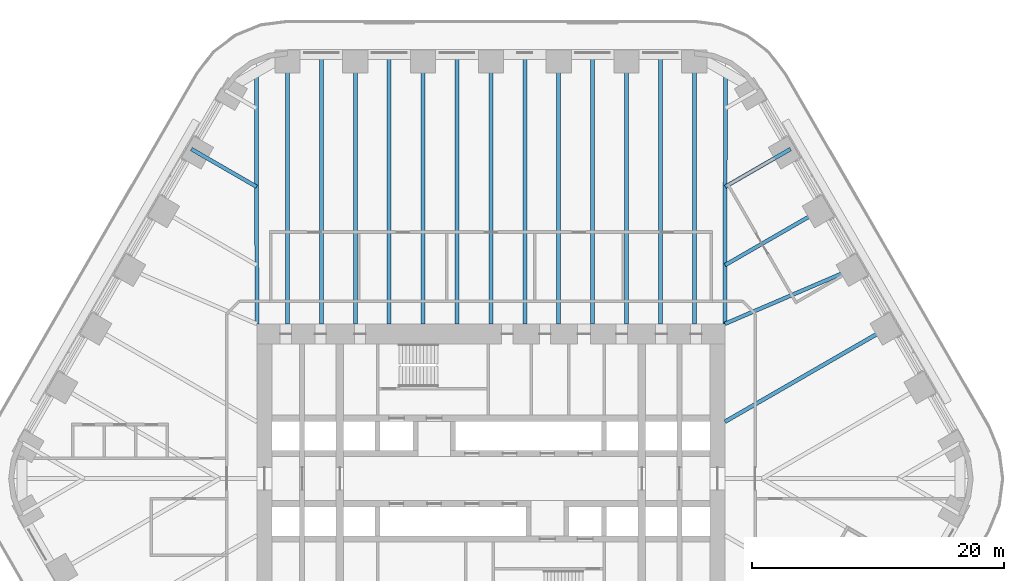
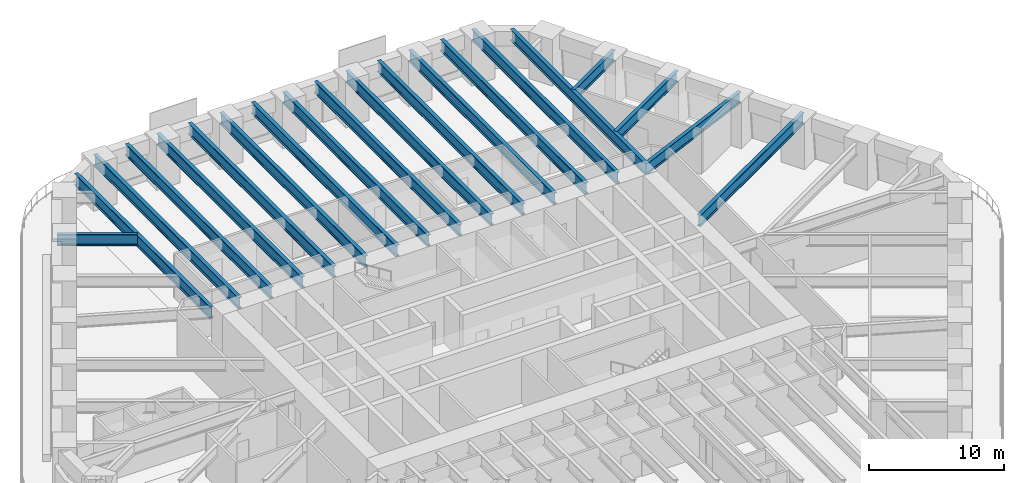
# One storey, part 10 of 23: 20 beams.
"""IFC4 building model written with IfcOpenShell, lengths in metres."""

from ifc_helpers import new_model, si_unit, direction, frame, origin, origin_2d, place, context, subcontext, project, spatial, i_section, extrude, material, material_profile, profile_set, type_object, element, save


model = new_model("IFC4")

# Units and contexts
model_context = context("Model", 3, precision=1e-05, world=origin(), true_north=direction((0.0, 1.0)))
body_context = subcontext(model_context, "Body", "Model", "MODEL_VIEW")
ifc_project = project(units=[si_unit("LENGTHUNIT", "METRE"), si_unit("AREAUNIT", "SQUARE_METRE"), si_unit("VOLUMEUNIT", "CUBIC_METRE"), si_unit("PLANEANGLEUNIT", "RADIAN"), si_unit("MASSUNIT", "GRAM", prefix="KILO")], contexts=[model_context])

# Site, building, storey
site_placement = place(None, origin())
site = spatial("IfcSite", under=ifc_project, at=site_placement, CompositionType="ELEMENT")
building_placement = place(site_placement, origin())
building = spatial("IfcBuilding", under=site, at=building_placement, Name="Tarfa Lantern Tower", CompositionType="ELEMENT")
storey_placement = place(building_placement, frame((0.0, 0.0, 52.89990234375)))
storey = spatial("IfcBuildingStorey", under=building, at=storey_placement, Name="L11", CompositionType="ELEMENT", Elevation=52.89990234375)

# Beams
ifc_material = material(Name="Steel S460M", Category="steel")
ifc_material_profile_1 = material_profile(ifc_material, i_section(OverallWidth=0.302001953125, OverallDepth=1.008056640625, WebThickness=0.02099609375, FlangeThickness=0.0400390625, FilletRadius=0.030029296875, at=origin_2d()), Name="UB1016x305x349")
ifc_profile_set_1 = profile_set([ifc_material_profile_1], Name="Steel S460M")
beam_type_1 = type_object("IfcBeamType", Name="UB1016x305x349", PredefinedType="BEAM", material=ifc_profile_set_1)
beam_1_placement = place(storey_placement, frame((29.202392578125, 16.860107421875, 3.49609375), z_axis=(-0.918635483867, -0.395106122175, 0.0), x_axis=(0.395106122175, -0.918635483867, 0.0)))
element("IfcBeam", 1, at=beam_1_placement, inside=storey, type_object=beam_type_1, Name="Floor beam NE3", PredefinedType="BEAM", context=body_context, shape_type="SweptSolid", body=[
    extrude(i_section(OverallWidth=0.302001953125, OverallDepth=1.008056640625, WebThickness=0.02099609375, FlangeThickness=0.0400390625, FilletRadius=0.030029296875, at=origin_2d()), origin(), (0.0, 0.0, 1.0), 11.541259765625),
])
beam_2_placement = place(storey_placement, frame((26.508056640625, 21.526611328125, 3.49609375), z_axis=(-0.866035355799, -0.49998276221, 0.0), x_axis=(0.49998276221, -0.866035355799, 0.0)))
element("IfcBeam", 2, at=beam_2_placement, inside=storey, type_object=beam_type_1, Name="Floor beam NE4", PredefinedType="BEAM", context=body_context, shape_type="SweptSolid", body=[
    extrude(i_section(OverallWidth=0.302001953125, OverallDepth=1.008056640625, WebThickness=0.02099609375, FlangeThickness=0.0400390625, FilletRadius=0.030029296875, at=origin_2d()), origin(), (0.0, 0.0, 1.0), 9.119873046875),
])
for number, where, z_axis, x_axis, name in (
    (3, (23.813720703125, 26.193359375, 3.49609375), (-0.866015997389, -0.500016292001, 0.0), (0.500016292001, -0.866015997389, 0.0), "Floor beam NE5"),
    (4, (-23.813720703125, 26.193359375, 3.49609375), (0.866015997389, -0.500016292001, 0.0), (0.500016292001, 0.866015997389, 0.0), "Floor beam NW1"),
):
    element("IfcBeam", number, at=place(storey_placement, frame(where, z_axis=z_axis, x_axis=x_axis)), inside=storey, type_object=beam_type_1, Name=name, PredefinedType="BEAM", context=body_context, shape_type="SweptSolid", body=[
        extrude(i_section(OverallWidth=0.302001953125, OverallDepth=1.008056640625, WebThickness=0.02099609375, FlangeThickness=0.0400390625, FilletRadius=0.030029296875, at=origin_2d()), origin(), (0.0, 0.0, 1.0), 5.993408203125),
    ])
ifc_material_profile_2 = material_profile(ifc_material, i_section(OverallWidth=0.314208984375, OverallDepth=1.055908203125, WebThickness=0.035888671875, FlangeThickness=0.06396484375, FilletRadius=0.030029296875, at=origin_2d()), Name="UB1016x305x584")
ifc_profile_set_2 = profile_set([ifc_material_profile_2], Name="Steel S460M")
beam_type_2 = type_object("IfcBeamType", Name="UB1016x305x584", PredefinedType="BEAM", material=ifc_profile_set_2)
for number, where, z_axis, x_axis, name in (
    (5, (18.60009765625, 12.300048828125, 3.47216796875), (0.00212508222, 0.99999774201, 0.0), (-0.99999774201, 0.00212508222, 0.0), "Hip girder NE"),
    (6, (-18.60009765625, 12.300048828125, 3.47216796875), (-0.00212508222, 0.99999774201, 0.0), (-0.99999774201, -0.00212508222, 0.0), "Hip girder NW"),
):
    element("IfcBeam", number, at=place(storey_placement, frame(where, z_axis=z_axis, x_axis=x_axis)), inside=storey, type_object=beam_type_2, Name=name, PredefinedType="BEAM", context=body_context, shape_type="SweptSolid", body=[
        extrude(i_section(OverallWidth=0.314208984375, OverallDepth=1.055908203125, WebThickness=0.035888671875, FlangeThickness=0.06396484375, FilletRadius=0.030029296875, at=origin_2d()), origin(), (0.0, 0.0, 1.0), 19.989990234375),
    ])
beam_3_placement = place(storey_placement, frame((31.896728515625, 12.193359375, 3.47216796875), z_axis=(-0.866026971665, -0.499997284341, 0.0), x_axis=(0.499997284341, -0.866026971665, 0.0)))
element("IfcBeam", 7, at=beam_3_placement, inside=storey, type_object=beam_type_2, Name="Floor beam NE2", PredefinedType="BEAM", context=body_context, shape_type="SweptSolid", body=[
    extrude(i_section(OverallWidth=0.314208984375, OverallDepth=1.055908203125, WebThickness=0.035888671875, FlangeThickness=0.06396484375, FilletRadius=0.030029296875, at=origin_2d()), origin(), (0.0, 0.0, 1.0), 15.353515625),
])
for number, where, z_axis, x_axis, name in (
    (8, (16.165771484375, 33.719970703125, 3.47216796875), (0.0, -1.0, 0.0), (1.0, 0.0, 0.0), "Floor beam N0"),
    (9, (10.777099609375, 33.719970703125, 3.47216796875), (0.0, -1.0, 0.0), (1.0, 0.0, 0.0), "Floor beam N1"),
    (10, (5.388671875, 33.719970703125, 3.47216796875), (0.0, -1.0, 0.0), (1.0, 0.0, 0.0), "Floor beam N2"),
    (11, (0.0, 33.719970703125, 3.47216796875), (0.0, -1.0, 0.0), (1.0, 0.0, 0.0), "Floor beam N3"),
    (12, (-5.388671875, 33.719970703125, 3.47216796875), (0.0, -1.0, 0.0), (1.0, 0.0, 0.0), "Floor beam N4"),
    (13, (-10.777099609375, 33.719970703125, 3.47216796875), (0.0, -1.0, 0.0), (1.0, 0.0, 0.0), "Floor beam N5"),
    (14, (-16.165771484375, 33.719970703125, 3.47216796875), (0.0, -1.0, 0.0), (1.0, 0.0, 0.0), "Floor beam N6"),
    (15, (13.471435546875, 33.719970703125, 3.47216796875), (0.0, -1.0, 0.0), (1.0, 0.0, 0.0), "Floor beam N0M"),
    (16, (8.0830078125, 33.719970703125, 3.47216796875), (0.0, -1.0, 0.0), (1.0, 0.0, 0.0), "Floor beam N1M"),
    (17, (2.6943359375, 33.719970703125, 3.47216796875), (0.0, -1.0, 0.0), (1.0, 0.0, 0.0), "Floor beam N2M"),
    (18, (-2.6943359375, 33.719970703125, 3.47216796875), (0.0, -1.0, 0.0), (1.0, 0.0, 0.0), "Floor beam N3M"),
    (19, (-8.0830078125, 33.719970703125, 3.47216796875), (0.0, -1.0, 0.0), (1.0, 0.0, 0.0), "Floor beam N4M"),
    (20, (-13.471435546875, 33.719970703125, 3.47216796875), (0.0, -1.0, 0.0), (1.0, 0.0, 0.0), "Floor beam N5M"),
):
    element("IfcBeam", number, at=place(storey_placement, frame(where, z_axis=z_axis, x_axis=x_axis)), inside=storey, type_object=beam_type_2, Name=name, PredefinedType="BEAM", context=body_context, shape_type="SweptSolid", body=[
        extrude(i_section(OverallWidth=0.314208984375, OverallDepth=1.055908203125, WebThickness=0.035888671875, FlangeThickness=0.06396484375, FilletRadius=0.030029296875, at=origin_2d()), origin(), (0.0, 0.0, 1.0), 21.419921875),
    ])

save(model, "model.ifc")
